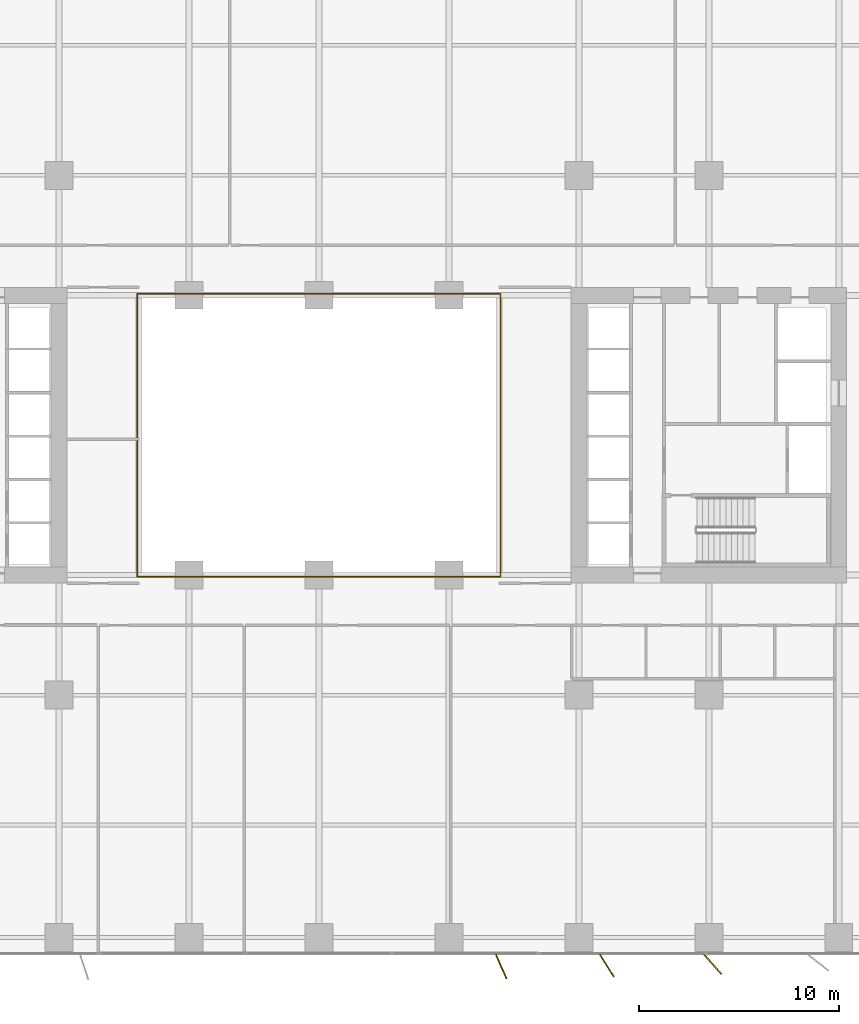
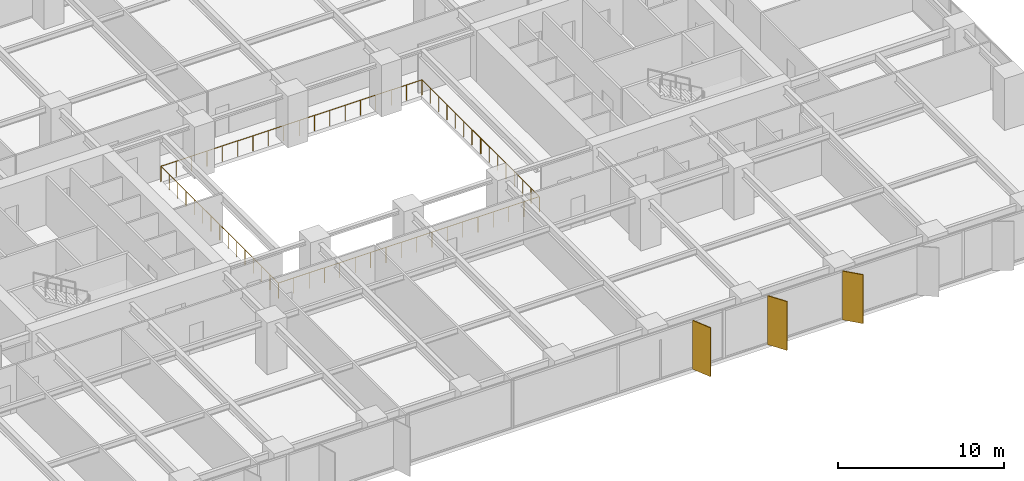
# One storey, part 18 of 20: 3 shading devices, 2 railings.
"""IFC4 building model written with IfcOpenShell, lengths in metres."""

from ifc_helpers import new_model, si_unit, direction, frame, origin, origin_2d, place, context, subcontext, project, spatial, rectangle, circle, extrude, material, layer, layer_set, type_object, element, save


model = new_model("IFC4")

# Units and contexts
model_context = context("Model", 3, precision=1e-05, world=origin(), true_north=direction((0.0, 1.0)))
body_context = subcontext(model_context, "Body", "Model", "MODEL_VIEW")
ifc_project = project(units=[si_unit("LENGTHUNIT", "METRE"), si_unit("AREAUNIT", "SQUARE_METRE"), si_unit("VOLUMEUNIT", "CUBIC_METRE"), si_unit("PLANEANGLEUNIT", "RADIAN"), si_unit("MASSUNIT", "GRAM", prefix="KILO")], contexts=[model_context])

# Site, building, storey
site_placement = place(None, origin())
site = spatial("IfcSite", under=ifc_project, at=site_placement, CompositionType="ELEMENT")
building_placement = place(site_placement, origin())
building = spatial("IfcBuilding", under=site, at=building_placement, Name="Putna Gate Headquarters", CompositionType="ELEMENT")
storey_placement = place(building_placement, frame((0.0, 0.0, 65.800048828125)))
storey = spatial("IfcBuildingStorey", under=building, at=storey_placement, Name="L15", CompositionType="ELEMENT", Elevation=65.800048828125)

# Railings
ifc_material_1 = material(Name="Anodised bronze and laminated glass atrium balustrade", Category="glass")
railing_type = type_object("IfcRailingType", Name="RAIL-ATRIUM-GUARD-1150", PredefinedType="GUARDRAIL", material=ifc_material_1)
railing_1_placement = place(storey_placement, frame((29.919921875, 25.969970703125, 0.0)))
element("IfcRailing", 1, at=railing_1_placement, inside=storey, type_object=railing_type, Name="L15 Central Atrium Glazed Balustrade South", PredefinedType="GUARDRAIL", context=body_context, shape_type="SweptSolid", body=[
    extrude(circle(Radius=0.02392578125, at=origin_2d()), frame((0.0, 0.0, 1.1259765625), z_axis=(0.0, -1.0, 0.0), x_axis=(1.0, 0.0, 0.0)), (0.0, 0.0, 1.0), 7.050048828125),
    extrude(circle(Radius=0.02392578125, at=origin_2d()), frame((0.0, -7.050048828125, 1.1259765625), z_axis=(1.0, 0.0, 0.0), x_axis=(0.0, 1.0, 0.0)), (0.0, 0.0, 1.0), 18.16015625),
    extrude(circle(Radius=0.02392578125, at=origin_2d()), frame((18.16015625, -7.050048828125, 1.1259765625), z_axis=(0.0, 1.0, 0.0), x_axis=(-1.0, 0.0, 0.0)), (0.0, 0.0, 1.0), 7.050048828125),
    extrude(circle(Radius=0.02099609375, at=origin_2d()), origin(), (0.0, 0.0, 1.0), 1.101806640625),
    extrude(circle(Radius=0.02099609375, at=origin_2d()), frame((0.0, -1.007080078125, 0.0)), (0.0, 0.0, 1.0), 1.101806640625),
    extrude(circle(Radius=0.02099609375, at=origin_2d()), frame((0.0, -2.014404296875, 0.0)), (0.0, 0.0, 1.0), 1.101806640625),
    extrude(circle(Radius=0.02099609375, at=origin_2d()), frame((0.0, -3.021484375, 0.0)), (0.0, 0.0, 1.0), 1.101806640625),
    extrude(circle(Radius=0.02099609375, at=origin_2d()), frame((0.0, -4.028564453125, 0.0)), (0.0, 0.0, 1.0), 1.101806640625),
    extrude(circle(Radius=0.02099609375, at=origin_2d()), frame((0.0, -5.03564453125, 0.0)), (0.0, 0.0, 1.0), 1.101806640625),
    extrude(circle(Radius=0.02099609375, at=origin_2d()), frame((0.0, -6.04296875, 0.0)), (0.0, 0.0, 1.0), 1.101806640625),
    extrude(circle(Radius=0.02099609375, at=origin_2d()), frame((0.0, -7.050048828125, 0.0)), (0.0, 0.0, 1.0), 1.101806640625),
    extrude(circle(Radius=0.02099609375, at=origin_2d()), frame((1.068359375, -7.050048828125, 0.0)), (0.0, 0.0, 1.0), 1.101806640625),
    extrude(circle(Radius=0.02099609375, at=origin_2d()), frame((2.136474609375, -7.050048828125, 0.0)), (0.0, 0.0, 1.0), 1.101806640625),
    extrude(circle(Radius=0.02099609375, at=origin_2d()), frame((3.204833984375, -7.050048828125, 0.0)), (0.0, 0.0, 1.0), 1.101806640625),
    extrude(circle(Radius=0.02099609375, at=origin_2d()), frame((4.27294921875, -7.050048828125, 0.0)), (0.0, 0.0, 1.0), 1.101806640625),
    extrude(circle(Radius=0.02099609375, at=origin_2d()), frame((5.34130859375, -7.050048828125, 0.0)), (0.0, 0.0, 1.0), 1.101806640625),
    extrude(circle(Radius=0.02099609375, at=origin_2d()), frame((6.409423828125, -7.050048828125, 0.0)), (0.0, 0.0, 1.0), 1.101806640625),
    extrude(circle(Radius=0.02099609375, at=origin_2d()), frame((7.477783203125, -7.050048828125, 0.0)), (0.0, 0.0, 1.0), 1.101806640625),
    extrude(circle(Radius=0.02099609375, at=origin_2d()), frame((8.5458984375, -7.050048828125, 0.0)), (0.0, 0.0, 1.0), 1.101806640625),
    extrude(circle(Radius=0.02099609375, at=origin_2d()), frame((9.6142578125, -7.050048828125, 0.0)), (0.0, 0.0, 1.0), 1.101806640625),
    extrude(circle(Radius=0.02099609375, at=origin_2d()), frame((10.682373046875, -7.050048828125, 0.0)), (0.0, 0.0, 1.0), 1.101806640625),
    extrude(circle(Radius=0.02099609375, at=origin_2d()), frame((11.750732421875, -7.050048828125, 0.0)), (0.0, 0.0, 1.0), 1.101806640625),
    extrude(circle(Radius=0.02099609375, at=origin_2d()), frame((12.81884765625, -7.050048828125, 0.0)), (0.0, 0.0, 1.0), 1.101806640625),
    extrude(circle(Radius=0.02099609375, at=origin_2d()), frame((13.88720703125, -7.050048828125, 0.0)), (0.0, 0.0, 1.0), 1.101806640625),
    extrude(circle(Radius=0.02099609375, at=origin_2d()), frame((14.955322265625, -7.050048828125, 0.0)), (0.0, 0.0, 1.0), 1.101806640625),
    extrude(circle(Radius=0.02099609375, at=origin_2d()), frame((16.023681640625, -7.050048828125, 0.0)), (0.0, 0.0, 1.0), 1.101806640625),
    extrude(circle(Radius=0.02099609375, at=origin_2d()), frame((17.091796875, -7.050048828125, 0.0)), (0.0, 0.0, 1.0), 1.101806640625),
    extrude(circle(Radius=0.02099609375, at=origin_2d()), frame((18.16015625, -7.050048828125, 0.0)), (0.0, 0.0, 1.0), 1.101806640625),
    extrude(circle(Radius=0.02099609375, at=origin_2d()), frame((18.16015625, -6.04296875, 0.0)), (0.0, 0.0, 1.0), 1.101806640625),
    extrude(circle(Radius=0.02099609375, at=origin_2d()), frame((18.16015625, -5.03564453125, 0.0)), (0.0, 0.0, 1.0), 1.101806640625),
    extrude(circle(Radius=0.02099609375, at=origin_2d()), frame((18.16015625, -4.028564453125, 0.0)), (0.0, 0.0, 1.0), 1.101806640625),
    extrude(circle(Radius=0.02099609375, at=origin_2d()), frame((18.16015625, -3.021484375, 0.0)), (0.0, 0.0, 1.0), 1.101806640625),
    extrude(circle(Radius=0.02099609375, at=origin_2d()), frame((18.16015625, -2.014404296875, 0.0)), (0.0, 0.0, 1.0), 1.101806640625),
    extrude(circle(Radius=0.02099609375, at=origin_2d()), frame((18.16015625, -1.007080078125, 0.0)), (0.0, 0.0, 1.0), 1.101806640625),
    extrude(circle(Radius=0.02099609375, at=origin_2d()), frame((18.16015625, 0.0, 0.0)), (0.0, 0.0, 1.0), 1.101806640625),
])
railing_2_placement = place(storey_placement, frame((48.080078125, 26.030029296875, 0.0)))
element("IfcRailing", 2, at=railing_2_placement, inside=storey, type_object=railing_type, Name="L15 Central Atrium Glazed Balustrade North", PredefinedType="GUARDRAIL", context=body_context, shape_type="SweptSolid", body=[
    extrude(circle(Radius=0.02392578125, at=origin_2d()), frame((0.0, 0.0, 1.1259765625), z_axis=(0.0, 1.0, 0.0), x_axis=(-1.0, 0.0, 0.0)), (0.0, 0.0, 1.0), 7.050048828125),
    extrude(circle(Radius=0.02392578125, at=origin_2d()), frame((0.0, 7.050048828125, 1.1259765625), z_axis=(-1.0, 0.0, 0.0), x_axis=(0.0, -1.0, 0.0)), (0.0, 0.0, 1.0), 18.16015625),
    extrude(circle(Radius=0.02392578125, at=origin_2d()), frame((-18.16015625, 7.050048828125, 1.1259765625), z_axis=(0.0, -1.0, 0.0), x_axis=(1.0, 0.0, 0.0)), (0.0, 0.0, 1.0), 7.050048828125),
    extrude(circle(Radius=0.02099609375, at=origin_2d()), origin(), (0.0, 0.0, 1.0), 1.101806640625),
    extrude(circle(Radius=0.02099609375, at=origin_2d()), frame((0.0, 1.007080078125, 0.0)), (0.0, 0.0, 1.0), 1.101806640625),
    extrude(circle(Radius=0.02099609375, at=origin_2d()), frame((0.0, 2.014404296875, 0.0)), (0.0, 0.0, 1.0), 1.101806640625),
    extrude(circle(Radius=0.02099609375, at=origin_2d()), frame((0.0, 3.021484375, 0.0)), (0.0, 0.0, 1.0), 1.101806640625),
    extrude(circle(Radius=0.02099609375, at=origin_2d()), frame((0.0, 4.028564453125, 0.0)), (0.0, 0.0, 1.0), 1.101806640625),
    extrude(circle(Radius=0.02099609375, at=origin_2d()), frame((0.0, 5.03564453125, 0.0)), (0.0, 0.0, 1.0), 1.101806640625),
    extrude(circle(Radius=0.02099609375, at=origin_2d()), frame((0.0, 6.04296875, 0.0)), (0.0, 0.0, 1.0), 1.101806640625),
    extrude(circle(Radius=0.02099609375, at=origin_2d()), frame((0.0, 7.050048828125, 0.0)), (0.0, 0.0, 1.0), 1.101806640625),
    extrude(circle(Radius=0.02099609375, at=origin_2d()), frame((-1.068359375, 7.050048828125, 0.0)), (0.0, 0.0, 1.0), 1.101806640625),
    extrude(circle(Radius=0.02099609375, at=origin_2d()), frame((-2.136474609375, 7.050048828125, 0.0)), (0.0, 0.0, 1.0), 1.101806640625),
    extrude(circle(Radius=0.02099609375, at=origin_2d()), frame((-3.204833984375, 7.050048828125, 0.0)), (0.0, 0.0, 1.0), 1.101806640625),
    extrude(circle(Radius=0.02099609375, at=origin_2d()), frame((-4.27294921875, 7.050048828125, 0.0)), (0.0, 0.0, 1.0), 1.101806640625),
    extrude(circle(Radius=0.02099609375, at=origin_2d()), frame((-5.34130859375, 7.050048828125, 0.0)), (0.0, 0.0, 1.0), 1.101806640625),
    extrude(circle(Radius=0.02099609375, at=origin_2d()), frame((-6.409423828125, 7.050048828125, 0.0)), (0.0, 0.0, 1.0), 1.101806640625),
    extrude(circle(Radius=0.02099609375, at=origin_2d()), frame((-7.477783203125, 7.050048828125, 0.0)), (0.0, 0.0, 1.0), 1.101806640625),
    extrude(circle(Radius=0.02099609375, at=origin_2d()), frame((-8.5458984375, 7.050048828125, 0.0)), (0.0, 0.0, 1.0), 1.101806640625),
    extrude(circle(Radius=0.02099609375, at=origin_2d()), frame((-9.6142578125, 7.050048828125, 0.0)), (0.0, 0.0, 1.0), 1.101806640625),
    extrude(circle(Radius=0.02099609375, at=origin_2d()), frame((-10.682373046875, 7.050048828125, 0.0)), (0.0, 0.0, 1.0), 1.101806640625),
    extrude(circle(Radius=0.02099609375, at=origin_2d()), frame((-11.750732421875, 7.050048828125, 0.0)), (0.0, 0.0, 1.0), 1.101806640625),
    extrude(circle(Radius=0.02099609375, at=origin_2d()), frame((-12.81884765625, 7.050048828125, 0.0)), (0.0, 0.0, 1.0), 1.101806640625),
    extrude(circle(Radius=0.02099609375, at=origin_2d()), frame((-13.88720703125, 7.050048828125, 0.0)), (0.0, 0.0, 1.0), 1.101806640625),
    extrude(circle(Radius=0.02099609375, at=origin_2d()), frame((-14.955322265625, 7.050048828125, 0.0)), (0.0, 0.0, 1.0), 1.101806640625),
    extrude(circle(Radius=0.02099609375, at=origin_2d()), frame((-16.023681640625, 7.050048828125, 0.0)), (0.0, 0.0, 1.0), 1.101806640625),
    extrude(circle(Radius=0.02099609375, at=origin_2d()), frame((-17.091796875, 7.050048828125, 0.0)), (0.0, 0.0, 1.0), 1.101806640625),
    extrude(circle(Radius=0.02099609375, at=origin_2d()), frame((-18.16015625, 7.050048828125, 0.0)), (0.0, 0.0, 1.0), 1.101806640625),
    extrude(circle(Radius=0.02099609375, at=origin_2d()), frame((-18.16015625, 6.04296875, 0.0)), (0.0, 0.0, 1.0), 1.101806640625),
    extrude(circle(Radius=0.02099609375, at=origin_2d()), frame((-18.16015625, 5.03564453125, 0.0)), (0.0, 0.0, 1.0), 1.101806640625),
    extrude(circle(Radius=0.02099609375, at=origin_2d()), frame((-18.16015625, 4.028564453125, 0.0)), (0.0, 0.0, 1.0), 1.101806640625),
    extrude(circle(Radius=0.02099609375, at=origin_2d()), frame((-18.16015625, 3.021484375, 0.0)), (0.0, 0.0, 1.0), 1.101806640625),
    extrude(circle(Radius=0.02099609375, at=origin_2d()), frame((-18.16015625, 2.014404296875, 0.0)), (0.0, 0.0, 1.0), 1.101806640625),
    extrude(circle(Radius=0.02099609375, at=origin_2d()), frame((-18.16015625, 1.007080078125, 0.0)), (0.0, 0.0, 1.0), 1.101806640625),
    extrude(circle(Radius=0.02099609375, at=origin_2d()), frame((-18.16015625, 0.0, 0.0)), (0.0, 0.0, 1.0), 1.101806640625),
])

# Shading devices
ifc_material_2 = material(Name="Anodised architectural bronze aluminium fin", Category="aluminium")
ifc_layer = layer(ifc_material_2, 0.06494140625)
ifc_layer_set = layer_set([ifc_layer], Name="Anodised architectural bronze aluminium fin")
shading_device_type = type_object("IfcShadingDeviceType", Name="SHADE-BRONZE-FIN-1320", PredefinedType="USERDEFINED", material=ifc_layer_set)
for number, where, z_axis, x_axis, name in (
    (3, (48.114501953125, -0.57958984375, -0.02001953125), (0.0, 0.0, 1.0), (0.400668879095, -0.916222925562, 0.0), "L15 Bronze Vertical Shading Fin S8"),
    (4, (53.400146484375, -0.534423828125, -0.02001953125), (0.0, 0.0, 1.0), (0.530659123936, -0.847585331506, 0.0), "L15 Bronze Vertical Shading Fin S9"),
    (5, (58.691650390625, -0.465576171875, -0.02001953125), (0.0, 0.0, 1.0), (0.669130606359, -0.743144825477, 0.0), "L15 Bronze Vertical Shading Fin S10"),
):
    element("IfcShadingDevice", number, at=place(storey_placement, frame(where, z_axis=z_axis, x_axis=x_axis)), inside=storey, type_object=shading_device_type, Name=name, ObjectType="FIN", PredefinedType="USERDEFINED", context=body_context, shape_type="SweptSolid", body=[
        extrude(rectangle(XDim=1.320068359375, YDim=0.06494140625, at=origin_2d()), origin(), (0.0, 0.0, 1.0), 3.590087890625),
    ])

save(model, "model.ifc")
